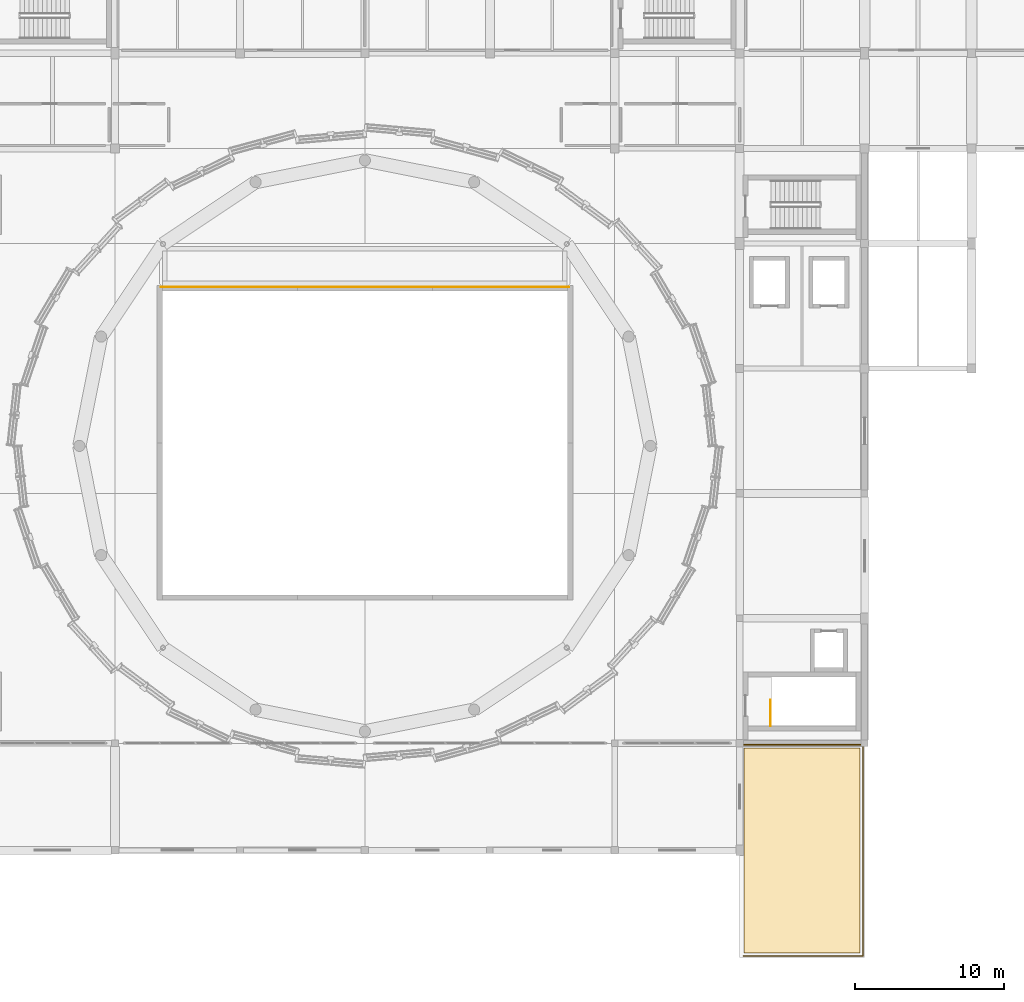
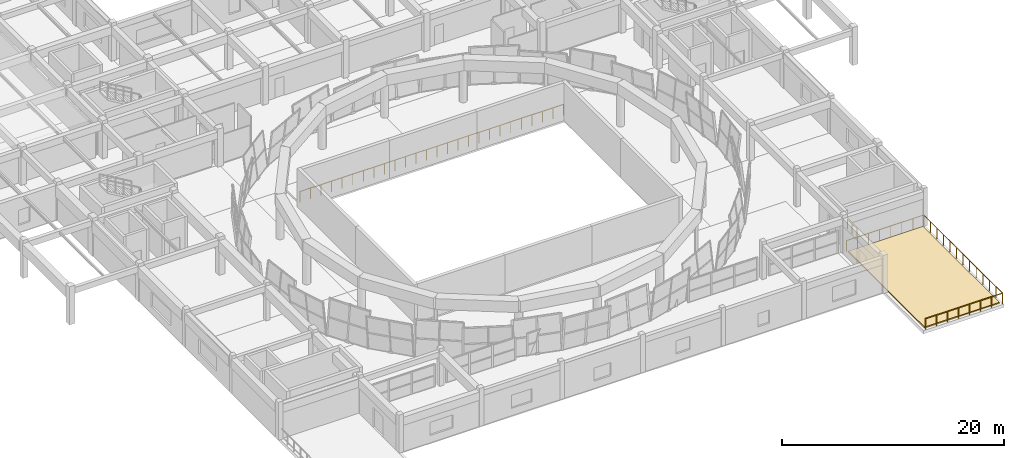
# One storey, part 38 of 40: 3 railings, 1 covering.
"""IFC4 building model written with IfcOpenShell, lengths in metres."""

from ifc_helpers import new_model, si_unit, direction, frame, origin, origin_2d, place, context, subcontext, project, spatial, polyline, circle, outline, extrude, material, layer, layer_set, type_object, element, save


model = new_model("IFC4")

# Units and contexts
model_context = context("Model", 3, precision=1e-05, world=origin(), true_north=direction((0.0, 1.0)))
body_context = subcontext(model_context, "Body", "Model", "MODEL_VIEW")
ifc_project = project(units=[si_unit("LENGTHUNIT", "METRE"), si_unit("AREAUNIT", "SQUARE_METRE"), si_unit("VOLUMEUNIT", "CUBIC_METRE"), si_unit("PLANEANGLEUNIT", "RADIAN"), si_unit("MASSUNIT", "GRAM", prefix="KILO")], contexts=[model_context])

# Site, building, storey
site_placement = place(None, origin())
site = spatial("IfcSite", under=ifc_project, at=site_placement, CompositionType="ELEMENT")
building_placement = place(site_placement, origin())
building = spatial("IfcBuilding", under=site, at=building_placement, Name="Korsvaeld Concert Hall", CompositionType="ELEMENT")
storey_placement = place(building_placement, frame((0.0, 0.0, 13.199951171875)))
storey = spatial("IfcBuildingStorey", under=building, at=storey_placement, Name="L03", CompositionType="ELEMENT", Elevation=13.199951171875)

# Covering
ifc_material_1 = material(Name="Mughal-garden sedum planted green roof substrate")
ifc_layer = layer(ifc_material_1, 0.1201171875)
ifc_layer_set = layer_set([ifc_layer], Name="Mughal-garden sedum planted green roof substrate")
covering_type = type_object("IfcCoveringType", Name="COV-ROOF-GREEN", PredefinedType="ROOFING", material=ifc_layer_set)
covering_placement = place(storey_placement, origin())
element("IfcCovering", 1, at=covering_placement, inside=storey, type_object=covering_type, Name="Mughal-garden green roof planting TER_L03_SE", PredefinedType="ROOFING", context=body_context, shape_type="SweptSolid", body=[
    extrude(outline(polyline([(117.300048828125, 29.10009765625), (117.300048828125, 42.89990234375), (109.5, 42.89990234375), (109.5, 29.10009765625), (117.300048828125, 29.10009765625)])), origin(), (0.0, 0.0, 1.0), 0.1201171875),
])

# Railings
ifc_material_2 = material(Name="Powder-coated steel and bronze stair guardrail", Category="steel")
railing_type_1 = type_object("IfcRailingType", Name="RL-STAIR-GUARD-120", PredefinedType="GUARDRAIL", material=ifc_material_2)
railing_1_placement = place(storey_placement, frame((111.27001953125, 44.3701171875, 0.0)))
element("IfcRailing", 2, at=railing_1_placement, inside=storey, type_object=railing_type_1, Name="L03 ST-K4 top well guard 1", PredefinedType="GUARDRAIL", context=body_context, shape_type="SweptSolid", body=[
    extrude(circle(Radius=0.02392578125, at=origin_2d()), frame((0.0, 0.0, 1.076171875), z_axis=(0.0, 1.0, 0.0), x_axis=(-1.0, 0.0, 0.0)), (0.0, 0.0, 1.0), 1.75),
    extrude(circle(Radius=0.02099609375, at=origin_2d()), origin(), (0.0, 0.0, 1.0), 1.052001953125),
    extrude(circle(Radius=0.02099609375, at=origin_2d()), frame((0.0, 0.875, 0.0)), (0.0, 0.0, 1.0), 1.052001953125),
    extrude(circle(Radius=0.02099609375, at=origin_2d()), frame((0.0, 1.75, 0.0)), (0.0, 0.0, 1.0), 1.052001953125),
])
ifc_material_3 = material(Name="Anodised architectural bronze guardrail")
railing_type_2 = type_object("IfcRailingType", Name="RL-TERR-GUARD-120", PredefinedType="GUARDRAIL", material=ifc_material_3)
railing_2_placement = place(storey_placement, frame((109.4599609375, 28.89990234375, 0.0)))
element("IfcRailing", 3, at=railing_2_placement, inside=storey, type_object=railing_type_2, Name="Planted terrace bronze guardrail TER_L03_SE", PredefinedType="GUARDRAIL", context=body_context, shape_type="SweptSolid", body=[
    extrude(circle(Radius=0.02392578125, at=origin_2d()), frame((0.0, 0.0, 1.17578125), z_axis=(1.0, 0.0, 0.0), x_axis=(0.0, 1.0, 0.0)), (0.0, 0.0, 1.0), 8.0400390625),
    extrude(circle(Radius=0.02392578125, at=origin_2d()), frame((8.0400390625, 0.0, 1.17578125), z_axis=(0.0, 1.0, 0.0), x_axis=(-1.0, 0.0, 0.0)), (0.0, 0.0, 1.0), 14.2001953125),
    extrude(circle(Radius=0.02392578125, at=origin_2d()), frame((8.0400390625, 14.2001953125, 1.17578125), z_axis=(-1.0, 0.0, 0.0), x_axis=(0.0, -1.0, 0.0)), (0.0, 0.0, 1.0), 8.0400390625),
    extrude(circle(Radius=0.02099609375, at=origin_2d()), origin(), (0.0, 0.0, 1.0), 1.15185546875),
    extrude(circle(Radius=0.02099609375, at=origin_2d()), frame((1.148681640625, 0.0, 0.0)), (0.0, 0.0, 1.0), 1.15185546875),
    extrude(circle(Radius=0.02099609375, at=origin_2d()), frame((2.297119140625, 0.0, 0.0)), (0.0, 0.0, 1.0), 1.15185546875),
    extrude(circle(Radius=0.02099609375, at=origin_2d()), frame((3.44580078125, 0.0, 0.0)), (0.0, 0.0, 1.0), 1.15185546875),
    extrude(circle(Radius=0.02099609375, at=origin_2d()), frame((4.59423828125, 0.0, 0.0)), (0.0, 0.0, 1.0), 1.15185546875),
    extrude(circle(Radius=0.02099609375, at=origin_2d()), frame((5.742919921875, 0.0, 0.0)), (0.0, 0.0, 1.0), 1.15185546875),
    extrude(circle(Radius=0.02099609375, at=origin_2d()), frame((6.891357421875, 0.0, 0.0)), (0.0, 0.0, 1.0), 1.15185546875),
    extrude(circle(Radius=0.02099609375, at=origin_2d()), frame((8.0400390625, 0.0, 0.0)), (0.0, 0.0, 1.0), 1.15185546875),
    extrude(circle(Radius=0.02099609375, at=origin_2d()), frame((8.0400390625, 1.183349609375, 0.0)), (0.0, 0.0, 1.0), 1.15185546875),
    extrude(circle(Radius=0.02099609375, at=origin_2d()), frame((8.0400390625, 2.36669921875, 0.0)), (0.0, 0.0, 1.0), 1.15185546875),
    extrude(circle(Radius=0.02099609375, at=origin_2d()), frame((8.0400390625, 3.550048828125, 0.0)), (0.0, 0.0, 1.0), 1.15185546875),
    extrude(circle(Radius=0.02099609375, at=origin_2d()), frame((8.0400390625, 4.7333984375, 0.0)), (0.0, 0.0, 1.0), 1.15185546875),
    extrude(circle(Radius=0.02099609375, at=origin_2d()), frame((8.0400390625, 5.916748046875, 0.0)), (0.0, 0.0, 1.0), 1.15185546875),
    extrude(circle(Radius=0.02099609375, at=origin_2d()), frame((8.0400390625, 7.10009765625, 0.0)), (0.0, 0.0, 1.0), 1.15185546875),
    extrude(circle(Radius=0.02099609375, at=origin_2d()), frame((8.0400390625, 8.283447265625, 0.0)), (0.0, 0.0, 1.0), 1.15185546875),
    extrude(circle(Radius=0.02099609375, at=origin_2d()), frame((8.0400390625, 9.466796875, 0.0)), (0.0, 0.0, 1.0), 1.15185546875),
    extrude(circle(Radius=0.02099609375, at=origin_2d()), frame((8.0400390625, 10.650146484375, 0.0)), (0.0, 0.0, 1.0), 1.15185546875),
    extrude(circle(Radius=0.02099609375, at=origin_2d()), frame((8.0400390625, 11.83349609375, 0.0)), (0.0, 0.0, 1.0), 1.15185546875),
    extrude(circle(Radius=0.02099609375, at=origin_2d()), frame((8.0400390625, 13.016845703125, 0.0)), (0.0, 0.0, 1.0), 1.15185546875),
    extrude(circle(Radius=0.02099609375, at=origin_2d()), frame((8.0400390625, 14.2001953125, 0.0)), (0.0, 0.0, 1.0), 1.15185546875),
    extrude(circle(Radius=0.02099609375, at=origin_2d()), frame((6.891357421875, 14.2001953125, 0.0)), (0.0, 0.0, 1.0), 1.15185546875),
    extrude(circle(Radius=0.02099609375, at=origin_2d()), frame((5.742919921875, 14.2001953125, 0.0)), (0.0, 0.0, 1.0), 1.15185546875),
    extrude(circle(Radius=0.02099609375, at=origin_2d()), frame((4.59423828125, 14.2001953125, 0.0)), (0.0, 0.0, 1.0), 1.15185546875),
    extrude(circle(Radius=0.02099609375, at=origin_2d()), frame((3.44580078125, 14.2001953125, 0.0)), (0.0, 0.0, 1.0), 1.15185546875),
    extrude(circle(Radius=0.02099609375, at=origin_2d()), frame((2.297119140625, 14.2001953125, 0.0)), (0.0, 0.0, 1.0), 1.15185546875),
    extrude(circle(Radius=0.02099609375, at=origin_2d()), frame((1.148681640625, 14.2001953125, 0.0)), (0.0, 0.0, 1.0), 1.15185546875),
    extrude(circle(Radius=0.02099609375, at=origin_2d()), frame((0.0, 14.2001953125, 0.0)), (0.0, 0.0, 1.0), 1.15185546875),
])
ifc_material_4 = material(Name="Acoustic laminated glass and oak auditorium balustrade", Category="glass")
railing_type_3 = type_object("IfcRailingType", Name="RL-VOID-BAL-120", PredefinedType="BALUSTRADE", material=ifc_material_4)
railing_3_placement = place(storey_placement, frame((70.280029296875, 73.8798828125, 0.449951171875)))
element("IfcRailing", 4, at=railing_3_placement, inside=storey, type_object=railing_type_3, Name="Auditorium acoustic balustrade V1-CHOIR-N", PredefinedType="BALUSTRADE", context=body_context, shape_type="SweptSolid", body=[
    extrude(circle(Radius=0.02392578125, at=origin_2d()), frame((0.0, 0.0, 1.17578125), z_axis=(1.0, 0.0, 0.0), x_axis=(0.0, 1.0, 0.0)), (0.0, 0.0, 1.0), 27.43994140625),
    extrude(circle(Radius=0.02099609375, at=origin_2d()), origin(), (0.0, 0.0, 1.0), 1.15185546875),
    extrude(circle(Radius=0.02099609375, at=origin_2d()), frame((1.09765625, 0.0, 0.0)), (0.0, 0.0, 1.0), 1.15185546875),
    extrude(circle(Radius=0.02099609375, at=origin_2d()), frame((2.1953125, 0.0, 0.0)), (0.0, 0.0, 1.0), 1.15185546875),
    extrude(circle(Radius=0.02099609375, at=origin_2d()), frame((3.292724609375, 0.0, 0.0)), (0.0, 0.0, 1.0), 1.15185546875),
    extrude(circle(Radius=0.02099609375, at=origin_2d()), frame((4.390380859375, 0.0, 0.0)), (0.0, 0.0, 1.0), 1.15185546875),
    extrude(circle(Radius=0.02099609375, at=origin_2d()), frame((5.488037109375, 0.0, 0.0)), (0.0, 0.0, 1.0), 1.15185546875),
    extrude(circle(Radius=0.02099609375, at=origin_2d()), frame((6.585693359375, 0.0, 0.0)), (0.0, 0.0, 1.0), 1.15185546875),
    extrude(circle(Radius=0.02099609375, at=origin_2d()), frame((7.68310546875, 0.0, 0.0)), (0.0, 0.0, 1.0), 1.15185546875),
    extrude(circle(Radius=0.02099609375, at=origin_2d()), frame((8.78076171875, 0.0, 0.0)), (0.0, 0.0, 1.0), 1.15185546875),
    extrude(circle(Radius=0.02099609375, at=origin_2d()), frame((9.87841796875, 0.0, 0.0)), (0.0, 0.0, 1.0), 1.15185546875),
    extrude(circle(Radius=0.02099609375, at=origin_2d()), frame((10.97607421875, 0.0, 0.0)), (0.0, 0.0, 1.0), 1.15185546875),
    extrude(circle(Radius=0.02099609375, at=origin_2d()), frame((12.073486328125, 0.0, 0.0)), (0.0, 0.0, 1.0), 1.15185546875),
    extrude(circle(Radius=0.02099609375, at=origin_2d()), frame((13.171142578125, 0.0, 0.0)), (0.0, 0.0, 1.0), 1.15185546875),
    extrude(circle(Radius=0.02099609375, at=origin_2d()), frame((14.268798828125, 0.0, 0.0)), (0.0, 0.0, 1.0), 1.15185546875),
    extrude(circle(Radius=0.02099609375, at=origin_2d()), frame((15.366455078125, 0.0, 0.0)), (0.0, 0.0, 1.0), 1.15185546875),
    extrude(circle(Radius=0.02099609375, at=origin_2d()), frame((16.4638671875, 0.0, 0.0)), (0.0, 0.0, 1.0), 1.15185546875),
    extrude(circle(Radius=0.02099609375, at=origin_2d()), frame((17.5615234375, 0.0, 0.0)), (0.0, 0.0, 1.0), 1.15185546875),
    extrude(circle(Radius=0.02099609375, at=origin_2d()), frame((18.6591796875, 0.0, 0.0)), (0.0, 0.0, 1.0), 1.15185546875),
    extrude(circle(Radius=0.02099609375, at=origin_2d()), frame((19.7568359375, 0.0, 0.0)), (0.0, 0.0, 1.0), 1.15185546875),
    extrude(circle(Radius=0.02099609375, at=origin_2d()), frame((20.854248046875, 0.0, 0.0)), (0.0, 0.0, 1.0), 1.15185546875),
    extrude(circle(Radius=0.02099609375, at=origin_2d()), frame((21.951904296875, 0.0, 0.0)), (0.0, 0.0, 1.0), 1.15185546875),
    extrude(circle(Radius=0.02099609375, at=origin_2d()), frame((23.049560546875, 0.0, 0.0)), (0.0, 0.0, 1.0), 1.15185546875),
    extrude(circle(Radius=0.02099609375, at=origin_2d()), frame((24.147216796875, 0.0, 0.0)), (0.0, 0.0, 1.0), 1.15185546875),
    extrude(circle(Radius=0.02099609375, at=origin_2d()), frame((25.24462890625, 0.0, 0.0)), (0.0, 0.0, 1.0), 1.15185546875),
    extrude(circle(Radius=0.02099609375, at=origin_2d()), frame((26.34228515625, 0.0, 0.0)), (0.0, 0.0, 1.0), 1.15185546875),
    extrude(circle(Radius=0.02099609375, at=origin_2d()), frame((27.43994140625, 0.0, 0.0)), (0.0, 0.0, 1.0), 1.15185546875),
])

save(model, "model.ifc")
